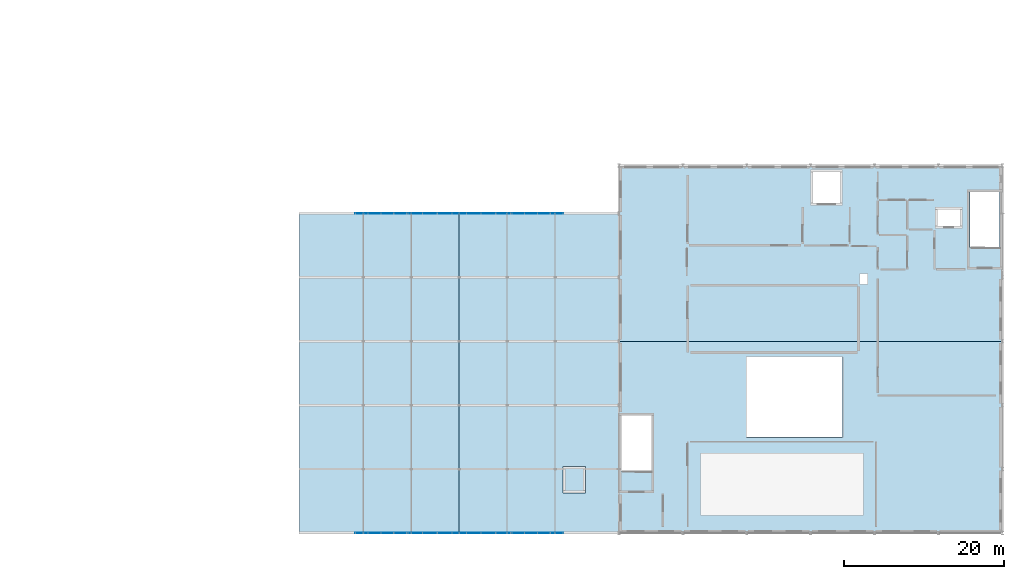
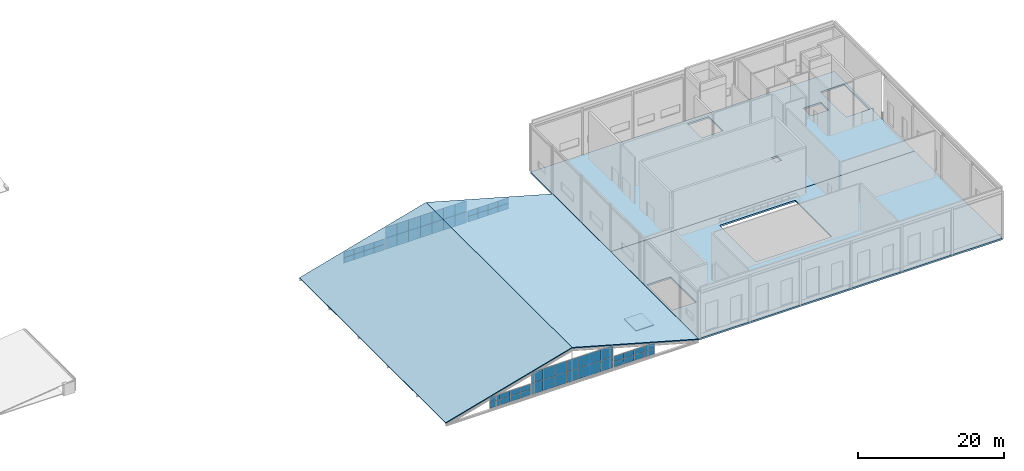
# One storey, part 37 of 49: 60 plates, 5 slabs, 7 elements without a shape of their own.
"""IFC4 building model written with IfcOpenShell, lengths in metres."""

import ifcopenshell
import ifcopenshell.guid

model = None  # the IFC model being written
_history = None  # IfcOwnerHistory: only IFC2X3 demands one
_inside = {}  # id of a spatial element -> (the spatial element, [elements in it])
_under = {}  # id of a project, library or spatial element -> (it, [spatial elements below it])
_declared = {}  # id of a project -> (the project, [libraries it declares])
_typed = {}  # id of a type object -> (the type object, [elements of that type])
_made_of = {}  # id of a material, layer set ... -> (it, [elements and type objects made of it])


def new_model(schema):
    """Start an empty IFC model of exactly this schema.

    Asked for "IFC4X3", IfcOpenShell would pick the latest addendum, in which some entities
    have other attributes; the version numbers below select the first issue.
    IFC2X3 requires an IfcOwnerHistory on every rooted entity: one is made here for all.
    """
    global model, _history
    if schema == "IFC4X3":
        model = ifcopenshell.file(schema_version=(4, 3, 0, 0))
    else:
        model = ifcopenshell.file(schema=schema)
    _inside.clear()
    _under.clear()
    _declared.clear()
    _typed.clear()
    _made_of.clear()
    _history = None
    if model.schema == "IFC2X3":
        org = make("IfcOrganization", Name="unknown")
        user = make(
            "IfcPersonAndOrganization",
            ThePerson=make("IfcPerson", FamilyName="unknown"),
            TheOrganization=org,
        )
        app = make(
            "IfcApplication",
            ApplicationDeveloper=org,
            Version="unknown",
            ApplicationFullName="unknown",
            ApplicationIdentifier="unknown",
        )
        _history = make(
            "IfcOwnerHistory",
            OwningUser=user,
            OwningApplication=app,
            ChangeAction="ADDED",
            CreationDate=0,
        )
    return model


def make(cls, **values):
    """One entity of the class cls with the attributes given. An attribute that is None is left unset."""
    return model.create_entity(
        cls, **{name: value for name, value in values.items() if value is not None}
    )


def rooted(cls, **values):
    """An entity with a GlobalId (a new one), such as an element, a storey or a relation."""
    return make(cls, GlobalId=ifcopenshell.guid.new(), OwnerHistory=_history, **values)


def si_unit(unit_type, name, prefix=None):
    """IfcSIUnit, for example si_unit("LENGTHUNIT", "METRE", prefix="MILLI")."""
    return make("IfcSIUnit", UnitType=unit_type, Prefix=prefix, Name=name)


def assignment(units):
    """IfcUnitAssignment: the units of a project."""
    return None if units is None else make("IfcUnitAssignment", Units=units)


def point(xyz):
    """IfcCartesianPoint."""
    return None if xyz is None else make("IfcCartesianPoint", Coordinates=xyz)


def direction(xyz):
    """IfcDirection."""
    return None if xyz is None else make("IfcDirection", DirectionRatios=xyz)


def frame(location, z_axis=None, x_axis=None):
    """IfcAxis2Placement3D, a coordinate frame: its origin and axes. An axis left out is left unset."""
    return make(
        "IfcAxis2Placement3D",
        Location=point(location),
        Axis=direction(z_axis),
        RefDirection=direction(x_axis),
    )


def frame_2d(location, x_axis=None):
    """IfcAxis2Placement2D, a coordinate frame in the plane: its origin and x axis."""
    return make(
        "IfcAxis2Placement2D", Location=point(location), RefDirection=direction(x_axis)
    )


def origin():
    """The frame at (0, 0, 0) with its axes left unset."""
    return frame((0.0, 0.0, 0.0))


def origin_2d():
    """The frame at (0, 0) in the plane with its x axis left unset."""
    return frame_2d((0.0, 0.0))


def place(relative_to, where):
    """IfcLocalPlacement: puts the frame where relative to a parent placement (None: the world)."""
    return make(
        "IfcLocalPlacement", PlacementRelTo=relative_to, RelativePlacement=where
    )


def context(
    kind, dimensions, precision=None, world=None, true_north=None, identifier=None
):
    """IfcGeometricRepresentationContext, for example the 3D "Model" context."""
    return make(
        "IfcGeometricRepresentationContext",
        ContextIdentifier=identifier,
        ContextType=kind,
        CoordinateSpaceDimension=dimensions,
        Precision=precision,
        WorldCoordinateSystem=world,
        TrueNorth=true_north,
    )


def subcontext(parent, identifier, kind, view, scale=None):
    """IfcGeometricRepresentationSubContext, for example "Body" below "Model"."""
    return make(
        "IfcGeometricRepresentationSubContext",
        ContextIdentifier=identifier,
        ContextType=kind,
        ParentContext=parent,
        TargetScale=scale,
        TargetView=view,
    )


def project(units=None, contexts=None):
    """IfcProject with its units and contexts."""
    return rooted(
        "IfcProject",
        Name="project",
        RepresentationContexts=contexts,
        UnitsInContext=assignment(units),
    )


def spatial(cls, under=None, at=None, **own):
    """A site, building, storey or space (cls), placed at a placement, below another one or the project."""
    s = rooted(cls, ObjectPlacement=at, **own)
    if under is not None:
        _under.setdefault(under.id(), (under, []))[1].append(s)
    return s


def polyline(points):
    """IfcPolyline through the points."""
    return make("IfcPolyline", Points=[point(p) for p in points])


def profile(cls, at=None, kind="AREA", **sizes):
    """A parametric profile (cls). Its sizes go by their IFC names, for example OverallWidth=200.0."""
    return make(cls, ProfileType=kind, Position=at, **sizes)


def rectangle(**sizes):
    """IfcRectangleProfileDef."""
    return profile("IfcRectangleProfileDef", **sizes)


def outline(outer, holes=None, kind="AREA"):
    """IfcArbitraryClosedProfileDef: a profile drawn as a closed curve; with holes, ...WithVoids."""
    if holes is None:
        return make("IfcArbitraryClosedProfileDef", ProfileType=kind, OuterCurve=outer)
    return make(
        "IfcArbitraryProfileDefWithVoids",
        ProfileType=kind,
        OuterCurve=outer,
        InnerCurves=holes,
    )


def extrude(swept, where, along, depth):
    """IfcExtrudedAreaSolid: the profile swept, set in the frame where, extruded along a direction by depth."""
    return make(
        "IfcExtrudedAreaSolid",
        SweptArea=swept,
        Position=where,
        ExtrudedDirection=direction(along),
        Depth=depth,
    )


def shape(context_of_items, identifier, shape_type, items):
    """IfcShapeRepresentation: the items that make up one representation, for example the "Body"."""
    return make(
        "IfcShapeRepresentation",
        ContextOfItems=context_of_items,
        RepresentationIdentifier=identifier,
        RepresentationType=shape_type,
        Items=items,
    )


def material(Name=None, Category=None):
    """IfcMaterial."""
    return make("IfcMaterial", Name=Name, Category=Category)


def layer(
    of_material, thickness, ventilated=None, Name=None, Category=None, Priority=None
):
    """IfcMaterialLayer: one layer of a wall or slab, of a material (None: an air gap)."""
    return make(
        "IfcMaterialLayer",
        Material=of_material,
        LayerThickness=thickness,
        IsVentilated=ventilated,
        Name=Name,
        Category=Category,
        Priority=Priority,
    )


def layer_set(layers, Name=None):
    """IfcMaterialLayerSet."""
    return make("IfcMaterialLayerSet", MaterialLayers=layers, LayerSetName=Name)


def made_of(thing, what):
    """Note that an element or type object is made of a material, layer set ...; save() writes the relation."""
    if what is not None:
        _made_of.setdefault(what.id(), (what, []))[1].append(thing)
    return thing


def type_object(cls, material=None, **own):
    """A type object (cls), such as IfcWallType, which elements share."""
    return made_of(rooted(cls, **own), material)


def element(
    cls,
    number,
    at=None,
    inside=None,
    cuts=None,
    type_object=None,
    material=None,
    context=None,
    identifier="Body",
    shape_type=None,
    held_by="IfcProductDefinitionShape",
    body=None,
    shapes=None,
    **own,
):
    """One element of the class cls, such as IfcWall. Its Tag is "e" and its number.

    at: its placement. inside: the storey or other place that contains it. cuts: it is an
    opening in that element (IfcRelVoidsElement). A single representation is given by context,
    identifier, shape_type and body (its items); several are given by shapes. held_by: the class
    of the entity that holds the representations. save() writes the other relations.
    """
    e = rooted(cls, Tag="e%d" % number, ObjectPlacement=at, **own)
    if body is not None:
        shapes = [shape(context, identifier, shape_type, body)]
    if shapes is not None:
        e.Representation = make(held_by, Representations=shapes)
    if inside is not None:
        _inside.setdefault(inside.id(), (inside, []))[1].append(e)
    if cuts is not None:
        rooted(
            "IfcRelVoidsElement", RelatingBuildingElement=cuts, RelatedOpeningElement=e
        )
    if type_object is not None:
        _typed.setdefault(type_object.id(), (type_object, []))[1].append(e)
    return made_of(e, material)


def aggregate(whole, parts):
    """IfcRelAggregates: a whole, such as a stair, and the parts it consists of."""
    return rooted("IfcRelAggregates", RelatingObject=whole, RelatedObjects=parts)


def save(model, path):
    """Write the relations noted so far, then the file.

    IfcRelAggregates (storeys below a building ...), IfcRelContainedInSpatialStructure (elements
    in a storey), IfcRelDefinesByType, IfcRelAssociatesMaterial and IfcRelDeclares: one each for
    every whole, place, type object, material and project.
    """
    for whole, parts in _under.values():
        aggregate(whole, parts)
    for where, things in _inside.values():
        rooted(
            "IfcRelContainedInSpatialStructure",
            RelatedElements=things,
            RelatingStructure=where,
        )
    for kind, things in _typed.values():
        rooted("IfcRelDefinesByType", RelatedObjects=things, RelatingType=kind)
    for what, things in _made_of.values():
        rooted("IfcRelAssociatesMaterial", RelatedObjects=things, RelatingMaterial=what)
    for by, libraries in _declared.values():
        rooted("IfcRelDeclares", RelatingContext=by, RelatedDefinitions=libraries)
    model.write(path)


model = new_model("IFC4")

# Units and contexts
model_context = context("Model", 3, precision=1e-05, world=origin(), true_north=direction((0.0, 1.0)))
body_context = subcontext(model_context, "Body", "Model", "MODEL_VIEW")
ifc_project = project(units=[si_unit("LENGTHUNIT", "METRE"), si_unit("AREAUNIT", "SQUARE_METRE"), si_unit("VOLUMEUNIT", "CUBIC_METRE"), si_unit("PLANEANGLEUNIT", "RADIAN"), si_unit("MASSUNIT", "GRAM", prefix="KILO")], contexts=[model_context])

# Site, building, storey
site_placement = place(None, origin())
site = spatial("IfcSite", under=ifc_project, at=site_placement, CompositionType="ELEMENT")
building_placement = place(site_placement, origin())
building = spatial("IfcBuilding", under=site, at=building_placement, Name="Sundkrona Museum", CompositionType="ELEMENT")
storey_placement = place(building_placement, frame((0.0, 0.0, 26.0)))
storey = spatial("IfcBuildingStorey", under=building, at=storey_placement, Name="L05", CompositionType="ELEMENT", Elevation=26.0)

# Curtain wall, plates
ifc_material_1 = material(Name="Unitised Aluminium-Steel and Ceramic-Clad Curtain Walling", Category="steel")
curtain_wall_type = type_object("IfcCurtainWallType", Name="CW-SW-240x13", PredefinedType="NOTDEFINED", material=ifc_material_1)
curtain_wall_1_placement = place(storey_placement, origin())
curtain_wall_1 = element("IfcCurtainWall", 1, at=curtain_wall_1_placement, inside=storey, type_object=curtain_wall_type, Name="Atrium S Glazed Gable Tympanum 2", PredefinedType="NOTDEFINED")
ifc_material_2 = material(Name="North-Light Diffusing Triple Glazing 32 mm", Category="glass")
ifc_layer_1 = layer(ifc_material_2, 0.031982421875)
ifc_layer_set_1 = layer_set([ifc_layer_1], Name="North-Light Diffusing Triple Glazing 32 mm")
plate_type = type_object("IfcPlateType", Name="PN-GL-02", PredefinedType="CURTAIN_PANEL", material=ifc_layer_set_1)
plate_1_placement = place(storey_placement, frame((87.800048828125, 0.0, -0.10009765625), z_axis=(0.0, 0.0, 1.0), x_axis=(1.0, 0.0, 0.0)))
plate_1 = element("IfcPlate", 2, at=plate_1_placement, type_object=plate_type, Name="CW-ATR-GBL-S2 Panel 01", PredefinedType="CURTAIN_PANEL", context=body_context, shape_type="SweptSolid", body=[
    extrude(rectangle(XDim=1.60009765625, YDim=0.031982421875, at=origin_2d()), origin(), (0.0, 0.0, 1.0), 0.931884765625),
])
plate_2_placement = place(storey_placement, frame((87.800048828125, 0.0, 0.83203125), z_axis=(0.0, 0.0, 1.0), x_axis=(1.0, 0.0, 0.0)))
plate_2 = element("IfcPlate", 3, at=plate_2_placement, type_object=plate_type, Name="CW-ATR-GBL-S2 Panel 02", PredefinedType="CURTAIN_PANEL", context=body_context, shape_type="SweptSolid", body=[
    extrude(rectangle(XDim=1.60009765625, YDim=0.031982421875, at=origin_2d()), origin(), (0.0, 0.0, 1.0), 0.931884765625),
])
plate_3_placement = place(storey_placement, frame((89.39990234375, 0.0, -0.10009765625), z_axis=(0.0, 0.0, 1.0), x_axis=(1.0, 0.0, 0.0)))
plate_3 = element("IfcPlate", 4, at=plate_3_placement, type_object=plate_type, Name="CW-ATR-GBL-S2 Panel 03", PredefinedType="CURTAIN_PANEL", context=body_context, shape_type="SweptSolid", body=[
    extrude(rectangle(XDim=1.60009765625, YDim=0.031982421875, at=origin_2d()), origin(), (0.0, 0.0, 1.0), 0.931884765625),
])
plate_4_placement = place(storey_placement, frame((89.39990234375, 0.0, 0.83203125), z_axis=(0.0, 0.0, 1.0), x_axis=(1.0, 0.0, 0.0)))
plate_4 = element("IfcPlate", 5, at=plate_4_placement, type_object=plate_type, Name="CW-ATR-GBL-S2 Panel 04", PredefinedType="CURTAIN_PANEL", context=body_context, shape_type="SweptSolid", body=[
    extrude(rectangle(XDim=1.60009765625, YDim=0.031982421875, at=origin_2d()), origin(), (0.0, 0.0, 1.0), 0.931884765625),
])
plate_5_placement = place(storey_placement, frame((91.0, 0.0, -0.10009765625), z_axis=(0.0, 0.0, 1.0), x_axis=(1.0, 0.0, 0.0)))
plate_5 = element("IfcPlate", 6, at=plate_5_placement, type_object=plate_type, Name="CW-ATR-GBL-S2 Panel 05", PredefinedType="CURTAIN_PANEL", context=body_context, shape_type="SweptSolid", body=[
    extrude(rectangle(XDim=1.60009765625, YDim=0.031982421875, at=origin_2d()), origin(), (0.0, 0.0, 1.0), 0.931884765625),
])
plate_6_placement = place(storey_placement, frame((91.0, 0.0, 0.83203125), z_axis=(0.0, 0.0, 1.0), x_axis=(1.0, 0.0, 0.0)))
plate_6 = element("IfcPlate", 7, at=plate_6_placement, type_object=plate_type, Name="CW-ATR-GBL-S2 Panel 06", PredefinedType="CURTAIN_PANEL", context=body_context, shape_type="SweptSolid", body=[
    extrude(rectangle(XDim=1.60009765625, YDim=0.031982421875, at=origin_2d()), origin(), (0.0, 0.0, 1.0), 0.931884765625),
])
plate_7_placement = place(storey_placement, frame((92.60009765625, 0.0, -0.10009765625), z_axis=(0.0, 0.0, 1.0), x_axis=(1.0, 0.0, 0.0)))
plate_7 = element("IfcPlate", 8, at=plate_7_placement, type_object=plate_type, Name="CW-ATR-GBL-S2 Panel 07", PredefinedType="CURTAIN_PANEL", context=body_context, shape_type="SweptSolid", body=[
    extrude(rectangle(XDim=1.60009765625, YDim=0.031982421875, at=origin_2d()), origin(), (0.0, 0.0, 1.0), 0.931884765625),
])
plate_8_placement = place(storey_placement, frame((92.60009765625, 0.0, 0.83203125), z_axis=(0.0, 0.0, 1.0), x_axis=(1.0, 0.0, 0.0)))
plate_8 = element("IfcPlate", 9, at=plate_8_placement, type_object=plate_type, Name="CW-ATR-GBL-S2 Panel 08", PredefinedType="CURTAIN_PANEL", context=body_context, shape_type="SweptSolid", body=[
    extrude(rectangle(XDim=1.60009765625, YDim=0.031982421875, at=origin_2d()), origin(), (0.0, 0.0, 1.0), 0.931884765625),
])
aggregate(curtain_wall_1, [plate_1, plate_2, plate_3, plate_4, plate_5, plate_6, plate_7, plate_8])

curtain_wall_2_placement = place(storey_placement, origin())
curtain_wall_2 = element("IfcCurtainWall", 10, at=curtain_wall_2_placement, inside=storey, type_object=curtain_wall_type, Name="Atrium S Glazed Gable Tympanum 3", PredefinedType="NOTDEFINED")
plate_9_placement = place(storey_placement, frame((94.514404296875, 0.0, -0.10009765625), z_axis=(0.0, 0.0, 1.0), x_axis=(1.0, 0.0, 0.0)))
plate_9 = element("IfcPlate", 11, at=plate_9_placement, type_object=plate_type, Name="CW-ATR-GBL-S3 Panel 01", PredefinedType="CURTAIN_PANEL", context=body_context, shape_type="SweptSolid", body=[
    extrude(rectangle(XDim=1.82861328125, YDim=0.031982421875, at=origin_2d()), origin(), (0.0, 0.0, 1.0), 1.85302734375),
])
plate_10_placement = place(storey_placement, frame((94.514404296875, 0.0, 1.7529296875), z_axis=(0.0, 0.0, 1.0), x_axis=(1.0, 0.0, 0.0)))
plate_10 = element("IfcPlate", 12, at=plate_10_placement, type_object=plate_type, Name="CW-ATR-GBL-S3 Panel 02", PredefinedType="CURTAIN_PANEL", context=body_context, shape_type="SweptSolid", body=[
    extrude(rectangle(XDim=1.82861328125, YDim=0.031982421875, at=origin_2d()), origin(), (0.0, 0.0, 1.0), 1.85400390625),
])
plate_11_placement = place(storey_placement, frame((96.343017578125, 0.0, -0.10009765625), z_axis=(0.0, 0.0, 1.0), x_axis=(1.0, 0.0, 0.0)))
plate_11 = element("IfcPlate", 13, at=plate_11_placement, type_object=plate_type, Name="CW-ATR-GBL-S3 Panel 03", PredefinedType="CURTAIN_PANEL", context=body_context, shape_type="SweptSolid", body=[
    extrude(rectangle(XDim=1.82861328125, YDim=0.031982421875, at=origin_2d()), origin(), (0.0, 0.0, 1.0), 1.85302734375),
])
plate_12_placement = place(storey_placement, frame((96.343017578125, 0.0, 1.7529296875), z_axis=(0.0, 0.0, 1.0), x_axis=(1.0, 0.0, 0.0)))
plate_12 = element("IfcPlate", 14, at=plate_12_placement, type_object=plate_type, Name="CW-ATR-GBL-S3 Panel 04", PredefinedType="CURTAIN_PANEL", context=body_context, shape_type="SweptSolid", body=[
    extrude(rectangle(XDim=1.82861328125, YDim=0.031982421875, at=origin_2d()), origin(), (0.0, 0.0, 1.0), 1.85400390625),
])
plate_13_placement = place(storey_placement, frame((98.17138671875, 0.0, -0.10009765625), z_axis=(0.0, 0.0, 1.0), x_axis=(1.0, 0.0, 0.0)))
plate_13 = element("IfcPlate", 15, at=plate_13_placement, type_object=plate_type, Name="CW-ATR-GBL-S3 Panel 05", PredefinedType="CURTAIN_PANEL", context=body_context, shape_type="SweptSolid", body=[
    extrude(rectangle(XDim=1.82861328125, YDim=0.031982421875, at=origin_2d()), origin(), (0.0, 0.0, 1.0), 1.85302734375),
])
plate_14_placement = place(storey_placement, frame((98.17138671875, 0.0, 1.7529296875), z_axis=(0.0, 0.0, 1.0), x_axis=(1.0, 0.0, 0.0)))
plate_14 = element("IfcPlate", 16, at=plate_14_placement, type_object=plate_type, Name="CW-ATR-GBL-S3 Panel 06", PredefinedType="CURTAIN_PANEL", context=body_context, shape_type="SweptSolid", body=[
    extrude(rectangle(XDim=1.82861328125, YDim=0.031982421875, at=origin_2d()), origin(), (0.0, 0.0, 1.0), 1.85400390625),
])
plate_15_placement = place(storey_placement, frame((100.0, 0.0, -0.10009765625), z_axis=(0.0, 0.0, 1.0), x_axis=(1.0, 0.0, 0.0)))
plate_15 = element("IfcPlate", 17, at=plate_15_placement, type_object=plate_type, Name="CW-ATR-GBL-S3 Panel 07", PredefinedType="CURTAIN_PANEL", context=body_context, shape_type="SweptSolid", body=[
    extrude(rectangle(XDim=1.82861328125, YDim=0.031982421875, at=origin_2d()), origin(), (0.0, 0.0, 1.0), 1.85302734375),
])
plate_16_placement = place(storey_placement, frame((100.0, 0.0, 1.7529296875), z_axis=(0.0, 0.0, 1.0), x_axis=(1.0, 0.0, 0.0)))
plate_16 = element("IfcPlate", 18, at=plate_16_placement, type_object=plate_type, Name="CW-ATR-GBL-S3 Panel 08", PredefinedType="CURTAIN_PANEL", context=body_context, shape_type="SweptSolid", body=[
    extrude(rectangle(XDim=1.82861328125, YDim=0.031982421875, at=origin_2d()), origin(), (0.0, 0.0, 1.0), 1.85400390625),
])
plate_17_placement = place(storey_placement, frame((101.82861328125, 0.0, -0.10009765625), z_axis=(0.0, 0.0, 1.0), x_axis=(1.0, 0.0, 0.0)))
plate_17 = element("IfcPlate", 19, at=plate_17_placement, type_object=plate_type, Name="CW-ATR-GBL-S3 Panel 09", PredefinedType="CURTAIN_PANEL", context=body_context, shape_type="SweptSolid", body=[
    extrude(rectangle(XDim=1.82861328125, YDim=0.031982421875, at=origin_2d()), origin(), (0.0, 0.0, 1.0), 1.85302734375),
])
plate_18_placement = place(storey_placement, frame((101.82861328125, 0.0, 1.7529296875), z_axis=(0.0, 0.0, 1.0), x_axis=(1.0, 0.0, 0.0)))
plate_18 = element("IfcPlate", 20, at=plate_18_placement, type_object=plate_type, Name="CW-ATR-GBL-S3 Panel 10", PredefinedType="CURTAIN_PANEL", context=body_context, shape_type="SweptSolid", body=[
    extrude(rectangle(XDim=1.82861328125, YDim=0.031982421875, at=origin_2d()), origin(), (0.0, 0.0, 1.0), 1.85400390625),
])
plate_19_placement = place(storey_placement, frame((103.656982421875, 0.0, -0.10009765625), z_axis=(0.0, 0.0, 1.0), x_axis=(1.0, 0.0, 0.0)))
plate_19 = element("IfcPlate", 21, at=plate_19_placement, type_object=plate_type, Name="CW-ATR-GBL-S3 Panel 11", PredefinedType="CURTAIN_PANEL", context=body_context, shape_type="SweptSolid", body=[
    extrude(rectangle(XDim=1.82861328125, YDim=0.031982421875, at=origin_2d()), origin(), (0.0, 0.0, 1.0), 1.85302734375),
])
plate_20_placement = place(storey_placement, frame((103.656982421875, 0.0, 1.7529296875), z_axis=(0.0, 0.0, 1.0), x_axis=(1.0, 0.0, 0.0)))
plate_20 = element("IfcPlate", 22, at=plate_20_placement, type_object=plate_type, Name="CW-ATR-GBL-S3 Panel 12", PredefinedType="CURTAIN_PANEL", context=body_context, shape_type="SweptSolid", body=[
    extrude(rectangle(XDim=1.82861328125, YDim=0.031982421875, at=origin_2d()), origin(), (0.0, 0.0, 1.0), 1.85400390625),
])
plate_21_placement = place(storey_placement, frame((105.485595703125, 0.0, -0.10009765625), z_axis=(0.0, 0.0, 1.0), x_axis=(1.0, 0.0, 0.0)))
plate_21 = element("IfcPlate", 23, at=plate_21_placement, type_object=plate_type, Name="CW-ATR-GBL-S3 Panel 13", PredefinedType="CURTAIN_PANEL", context=body_context, shape_type="SweptSolid", body=[
    extrude(rectangle(XDim=1.82861328125, YDim=0.031982421875, at=origin_2d()), origin(), (0.0, 0.0, 1.0), 1.85302734375),
])
plate_22_placement = place(storey_placement, frame((105.485595703125, 0.0, 1.7529296875), z_axis=(0.0, 0.0, 1.0), x_axis=(1.0, 0.0, 0.0)))
plate_22 = element("IfcPlate", 24, at=plate_22_placement, type_object=plate_type, Name="CW-ATR-GBL-S3 Panel 14", PredefinedType="CURTAIN_PANEL", context=body_context, shape_type="SweptSolid", body=[
    extrude(rectangle(XDim=1.82861328125, YDim=0.031982421875, at=origin_2d()), origin(), (0.0, 0.0, 1.0), 1.85400390625),
])
aggregate(curtain_wall_2, [plate_9, plate_10, plate_11, plate_12, plate_13, plate_14, plate_15, plate_16, plate_17, plate_18, plate_19, plate_20, plate_21, plate_22])

curtain_wall_3_placement = place(storey_placement, origin())
curtain_wall_3 = element("IfcCurtainWall", 25, at=curtain_wall_3_placement, inside=storey, type_object=curtain_wall_type, Name="Atrium S Glazed Gable Tympanum 4", PredefinedType="NOTDEFINED")
plate_23_placement = place(storey_placement, frame((107.39990234375, 0.0, -0.10009765625), z_axis=(0.0, 0.0, 1.0), x_axis=(1.0, 0.0, 0.0)))
plate_23 = element("IfcPlate", 26, at=plate_23_placement, type_object=plate_type, Name="CW-ATR-GBL-S4 Panel 01", PredefinedType="CURTAIN_PANEL", context=body_context, shape_type="SweptSolid", body=[
    extrude(rectangle(XDim=1.60009765625, YDim=0.031982421875, at=origin_2d()), origin(), (0.0, 0.0, 1.0), 0.931884765625),
])
plate_24_placement = place(storey_placement, frame((107.39990234375, 0.0, 0.83203125), z_axis=(0.0, 0.0, 1.0), x_axis=(1.0, 0.0, 0.0)))
plate_24 = element("IfcPlate", 27, at=plate_24_placement, type_object=plate_type, Name="CW-ATR-GBL-S4 Panel 02", PredefinedType="CURTAIN_PANEL", context=body_context, shape_type="SweptSolid", body=[
    extrude(rectangle(XDim=1.60009765625, YDim=0.031982421875, at=origin_2d()), origin(), (0.0, 0.0, 1.0), 0.931884765625),
])
plate_25_placement = place(storey_placement, frame((109.0, 0.0, -0.10009765625), z_axis=(0.0, 0.0, 1.0), x_axis=(1.0, 0.0, 0.0)))
plate_25 = element("IfcPlate", 28, at=plate_25_placement, type_object=plate_type, Name="CW-ATR-GBL-S4 Panel 03", PredefinedType="CURTAIN_PANEL", context=body_context, shape_type="SweptSolid", body=[
    extrude(rectangle(XDim=1.60009765625, YDim=0.031982421875, at=origin_2d()), origin(), (0.0, 0.0, 1.0), 0.931884765625),
])
plate_26_placement = place(storey_placement, frame((109.0, 0.0, 0.83203125), z_axis=(0.0, 0.0, 1.0), x_axis=(1.0, 0.0, 0.0)))
plate_26 = element("IfcPlate", 29, at=plate_26_placement, type_object=plate_type, Name="CW-ATR-GBL-S4 Panel 04", PredefinedType="CURTAIN_PANEL", context=body_context, shape_type="SweptSolid", body=[
    extrude(rectangle(XDim=1.60009765625, YDim=0.031982421875, at=origin_2d()), origin(), (0.0, 0.0, 1.0), 0.931884765625),
])
plate_27_placement = place(storey_placement, frame((110.60009765625, 0.0, -0.10009765625), z_axis=(0.0, 0.0, 1.0), x_axis=(1.0, 0.0, 0.0)))
plate_27 = element("IfcPlate", 30, at=plate_27_placement, type_object=plate_type, Name="CW-ATR-GBL-S4 Panel 05", PredefinedType="CURTAIN_PANEL", context=body_context, shape_type="SweptSolid", body=[
    extrude(rectangle(XDim=1.60009765625, YDim=0.031982421875, at=origin_2d()), origin(), (0.0, 0.0, 1.0), 0.931884765625),
])
plate_28_placement = place(storey_placement, frame((110.60009765625, 0.0, 0.83203125), z_axis=(0.0, 0.0, 1.0), x_axis=(1.0, 0.0, 0.0)))
plate_28 = element("IfcPlate", 31, at=plate_28_placement, type_object=plate_type, Name="CW-ATR-GBL-S4 Panel 06", PredefinedType="CURTAIN_PANEL", context=body_context, shape_type="SweptSolid", body=[
    extrude(rectangle(XDim=1.60009765625, YDim=0.031982421875, at=origin_2d()), origin(), (0.0, 0.0, 1.0), 0.931884765625),
])
plate_29_placement = place(storey_placement, frame((112.199951171875, 0.0, -0.10009765625), z_axis=(0.0, 0.0, 1.0), x_axis=(1.0, 0.0, 0.0)))
plate_29 = element("IfcPlate", 32, at=plate_29_placement, type_object=plate_type, Name="CW-ATR-GBL-S4 Panel 07", PredefinedType="CURTAIN_PANEL", context=body_context, shape_type="SweptSolid", body=[
    extrude(rectangle(XDim=1.60009765625, YDim=0.031982421875, at=origin_2d()), origin(), (0.0, 0.0, 1.0), 0.931884765625),
])
plate_30_placement = place(storey_placement, frame((112.199951171875, 0.0, 0.83203125), z_axis=(0.0, 0.0, 1.0), x_axis=(1.0, 0.0, 0.0)))
plate_30 = element("IfcPlate", 33, at=plate_30_placement, type_object=plate_type, Name="CW-ATR-GBL-S4 Panel 08", PredefinedType="CURTAIN_PANEL", context=body_context, shape_type="SweptSolid", body=[
    extrude(rectangle(XDim=1.60009765625, YDim=0.031982421875, at=origin_2d()), origin(), (0.0, 0.0, 1.0), 0.931884765625),
])
aggregate(curtain_wall_3, [plate_23, plate_24, plate_25, plate_26, plate_27, plate_28, plate_29, plate_30])

curtain_wall_4_placement = place(storey_placement, origin())
curtain_wall_4 = element("IfcCurtainWall", 34, at=curtain_wall_4_placement, inside=storey, type_object=curtain_wall_type, Name="Atrium N Glazed Gable Tympanum 2", PredefinedType="NOTDEFINED")
plate_31_placement = place(storey_placement, frame((87.800048828125, 40.0, -0.10009765625), z_axis=(0.0, 0.0, 1.0), x_axis=(1.0, 0.0, 0.0)))
plate_31 = element("IfcPlate", 35, at=plate_31_placement, type_object=plate_type, Name="CW-ATR-GBL-N2 Panel 01", PredefinedType="CURTAIN_PANEL", context=body_context, shape_type="SweptSolid", body=[
    extrude(rectangle(XDim=1.60009765625, YDim=0.031982421875, at=origin_2d()), origin(), (0.0, 0.0, 1.0), 0.931884765625),
])
plate_32_placement = place(storey_placement, frame((87.800048828125, 40.0, 0.83203125), z_axis=(0.0, 0.0, 1.0), x_axis=(1.0, 0.0, 0.0)))
plate_32 = element("IfcPlate", 36, at=plate_32_placement, type_object=plate_type, Name="CW-ATR-GBL-N2 Panel 02", PredefinedType="CURTAIN_PANEL", context=body_context, shape_type="SweptSolid", body=[
    extrude(rectangle(XDim=1.60009765625, YDim=0.031982421875, at=origin_2d()), origin(), (0.0, 0.0, 1.0), 0.931884765625),
])
plate_33_placement = place(storey_placement, frame((89.39990234375, 40.0, -0.10009765625), z_axis=(0.0, 0.0, 1.0), x_axis=(1.0, 0.0, 0.0)))
plate_33 = element("IfcPlate", 37, at=plate_33_placement, type_object=plate_type, Name="CW-ATR-GBL-N2 Panel 03", PredefinedType="CURTAIN_PANEL", context=body_context, shape_type="SweptSolid", body=[
    extrude(rectangle(XDim=1.60009765625, YDim=0.031982421875, at=origin_2d()), origin(), (0.0, 0.0, 1.0), 0.931884765625),
])
plate_34_placement = place(storey_placement, frame((89.39990234375, 40.0, 0.83203125), z_axis=(0.0, 0.0, 1.0), x_axis=(1.0, 0.0, 0.0)))
plate_34 = element("IfcPlate", 38, at=plate_34_placement, type_object=plate_type, Name="CW-ATR-GBL-N2 Panel 04", PredefinedType="CURTAIN_PANEL", context=body_context, shape_type="SweptSolid", body=[
    extrude(rectangle(XDim=1.60009765625, YDim=0.031982421875, at=origin_2d()), origin(), (0.0, 0.0, 1.0), 0.931884765625),
])
plate_35_placement = place(storey_placement, frame((91.0, 40.0, -0.10009765625), z_axis=(0.0, 0.0, 1.0), x_axis=(1.0, 0.0, 0.0)))
plate_35 = element("IfcPlate", 39, at=plate_35_placement, type_object=plate_type, Name="CW-ATR-GBL-N2 Panel 05", PredefinedType="CURTAIN_PANEL", context=body_context, shape_type="SweptSolid", body=[
    extrude(rectangle(XDim=1.60009765625, YDim=0.031982421875, at=origin_2d()), origin(), (0.0, 0.0, 1.0), 0.931884765625),
])
plate_36_placement = place(storey_placement, frame((91.0, 40.0, 0.83203125), z_axis=(0.0, 0.0, 1.0), x_axis=(1.0, 0.0, 0.0)))
plate_36 = element("IfcPlate", 40, at=plate_36_placement, type_object=plate_type, Name="CW-ATR-GBL-N2 Panel 06", PredefinedType="CURTAIN_PANEL", context=body_context, shape_type="SweptSolid", body=[
    extrude(rectangle(XDim=1.60009765625, YDim=0.031982421875, at=origin_2d()), origin(), (0.0, 0.0, 1.0), 0.931884765625),
])
plate_37_placement = place(storey_placement, frame((92.60009765625, 40.0, -0.10009765625), z_axis=(0.0, 0.0, 1.0), x_axis=(1.0, 0.0, 0.0)))
plate_37 = element("IfcPlate", 41, at=plate_37_placement, type_object=plate_type, Name="CW-ATR-GBL-N2 Panel 07", PredefinedType="CURTAIN_PANEL", context=body_context, shape_type="SweptSolid", body=[
    extrude(rectangle(XDim=1.60009765625, YDim=0.031982421875, at=origin_2d()), origin(), (0.0, 0.0, 1.0), 0.931884765625),
])
plate_38_placement = place(storey_placement, frame((92.60009765625, 40.0, 0.83203125), z_axis=(0.0, 0.0, 1.0), x_axis=(1.0, 0.0, 0.0)))
plate_38 = element("IfcPlate", 42, at=plate_38_placement, type_object=plate_type, Name="CW-ATR-GBL-N2 Panel 08", PredefinedType="CURTAIN_PANEL", context=body_context, shape_type="SweptSolid", body=[
    extrude(rectangle(XDim=1.60009765625, YDim=0.031982421875, at=origin_2d()), origin(), (0.0, 0.0, 1.0), 0.931884765625),
])
aggregate(curtain_wall_4, [plate_31, plate_32, plate_33, plate_34, plate_35, plate_36, plate_37, plate_38])

curtain_wall_5_placement = place(storey_placement, origin())
curtain_wall_5 = element("IfcCurtainWall", 43, at=curtain_wall_5_placement, inside=storey, type_object=curtain_wall_type, Name="Atrium N Glazed Gable Tympanum 3", PredefinedType="NOTDEFINED")
plate_39_placement = place(storey_placement, frame((94.514404296875, 40.0, -0.10009765625), z_axis=(0.0, 0.0, 1.0), x_axis=(1.0, 0.0, 0.0)))
plate_39 = element("IfcPlate", 44, at=plate_39_placement, type_object=plate_type, Name="CW-ATR-GBL-N3 Panel 01", PredefinedType="CURTAIN_PANEL", context=body_context, shape_type="SweptSolid", body=[
    extrude(rectangle(XDim=1.82861328125, YDim=0.031982421875, at=origin_2d()), origin(), (0.0, 0.0, 1.0), 1.85302734375),
])
plate_40_placement = place(storey_placement, frame((94.514404296875, 40.0, 1.7529296875), z_axis=(0.0, 0.0, 1.0), x_axis=(1.0, 0.0, 0.0)))
plate_40 = element("IfcPlate", 45, at=plate_40_placement, type_object=plate_type, Name="CW-ATR-GBL-N3 Panel 02", PredefinedType="CURTAIN_PANEL", context=body_context, shape_type="SweptSolid", body=[
    extrude(rectangle(XDim=1.82861328125, YDim=0.031982421875, at=origin_2d()), origin(), (0.0, 0.0, 1.0), 1.85400390625),
])
plate_41_placement = place(storey_placement, frame((96.343017578125, 40.0, -0.10009765625), z_axis=(0.0, 0.0, 1.0), x_axis=(1.0, 0.0, 0.0)))
plate_41 = element("IfcPlate", 46, at=plate_41_placement, type_object=plate_type, Name="CW-ATR-GBL-N3 Panel 03", PredefinedType="CURTAIN_PANEL", context=body_context, shape_type="SweptSolid", body=[
    extrude(rectangle(XDim=1.82861328125, YDim=0.031982421875, at=origin_2d()), origin(), (0.0, 0.0, 1.0), 1.85302734375),
])
plate_42_placement = place(storey_placement, frame((96.343017578125, 40.0, 1.7529296875), z_axis=(0.0, 0.0, 1.0), x_axis=(1.0, 0.0, 0.0)))
plate_42 = element("IfcPlate", 47, at=plate_42_placement, type_object=plate_type, Name="CW-ATR-GBL-N3 Panel 04", PredefinedType="CURTAIN_PANEL", context=body_context, shape_type="SweptSolid", body=[
    extrude(rectangle(XDim=1.82861328125, YDim=0.031982421875, at=origin_2d()), origin(), (0.0, 0.0, 1.0), 1.85400390625),
])
plate_43_placement = place(storey_placement, frame((98.17138671875, 40.0, -0.10009765625), z_axis=(0.0, 0.0, 1.0), x_axis=(1.0, 0.0, 0.0)))
plate_43 = element("IfcPlate", 48, at=plate_43_placement, type_object=plate_type, Name="CW-ATR-GBL-N3 Panel 05", PredefinedType="CURTAIN_PANEL", context=body_context, shape_type="SweptSolid", body=[
    extrude(rectangle(XDim=1.82861328125, YDim=0.031982421875, at=origin_2d()), origin(), (0.0, 0.0, 1.0), 1.85302734375),
])
plate_44_placement = place(storey_placement, frame((98.17138671875, 40.0, 1.7529296875), z_axis=(0.0, 0.0, 1.0), x_axis=(1.0, 0.0, 0.0)))
plate_44 = element("IfcPlate", 49, at=plate_44_placement, type_object=plate_type, Name="CW-ATR-GBL-N3 Panel 06", PredefinedType="CURTAIN_PANEL", context=body_context, shape_type="SweptSolid", body=[
    extrude(rectangle(XDim=1.82861328125, YDim=0.031982421875, at=origin_2d()), origin(), (0.0, 0.0, 1.0), 1.85400390625),
])
plate_45_placement = place(storey_placement, frame((100.0, 40.0, -0.10009765625), z_axis=(0.0, 0.0, 1.0), x_axis=(1.0, 0.0, 0.0)))
plate_45 = element("IfcPlate", 50, at=plate_45_placement, type_object=plate_type, Name="CW-ATR-GBL-N3 Panel 07", PredefinedType="CURTAIN_PANEL", context=body_context, shape_type="SweptSolid", body=[
    extrude(rectangle(XDim=1.82861328125, YDim=0.031982421875, at=origin_2d()), origin(), (0.0, 0.0, 1.0), 1.85302734375),
])
plate_46_placement = place(storey_placement, frame((100.0, 40.0, 1.7529296875), z_axis=(0.0, 0.0, 1.0), x_axis=(1.0, 0.0, 0.0)))
plate_46 = element("IfcPlate", 51, at=plate_46_placement, type_object=plate_type, Name="CW-ATR-GBL-N3 Panel 08", PredefinedType="CURTAIN_PANEL", context=body_context, shape_type="SweptSolid", body=[
    extrude(rectangle(XDim=1.82861328125, YDim=0.031982421875, at=origin_2d()), origin(), (0.0, 0.0, 1.0), 1.85400390625),
])
plate_47_placement = place(storey_placement, frame((101.82861328125, 40.0, -0.10009765625), z_axis=(0.0, 0.0, 1.0), x_axis=(1.0, 0.0, 0.0)))
plate_47 = element("IfcPlate", 52, at=plate_47_placement, type_object=plate_type, Name="CW-ATR-GBL-N3 Panel 09", PredefinedType="CURTAIN_PANEL", context=body_context, shape_type="SweptSolid", body=[
    extrude(rectangle(XDim=1.82861328125, YDim=0.031982421875, at=origin_2d()), origin(), (0.0, 0.0, 1.0), 1.85302734375),
])
plate_48_placement = place(storey_placement, frame((101.82861328125, 40.0, 1.7529296875), z_axis=(0.0, 0.0, 1.0), x_axis=(1.0, 0.0, 0.0)))
plate_48 = element("IfcPlate", 53, at=plate_48_placement, type_object=plate_type, Name="CW-ATR-GBL-N3 Panel 10", PredefinedType="CURTAIN_PANEL", context=body_context, shape_type="SweptSolid", body=[
    extrude(rectangle(XDim=1.82861328125, YDim=0.031982421875, at=origin_2d()), origin(), (0.0, 0.0, 1.0), 1.85400390625),
])
plate_49_placement = place(storey_placement, frame((103.656982421875, 40.0, -0.10009765625), z_axis=(0.0, 0.0, 1.0), x_axis=(1.0, 0.0, 0.0)))
plate_49 = element("IfcPlate", 54, at=plate_49_placement, type_object=plate_type, Name="CW-ATR-GBL-N3 Panel 11", PredefinedType="CURTAIN_PANEL", context=body_context, shape_type="SweptSolid", body=[
    extrude(rectangle(XDim=1.82861328125, YDim=0.031982421875, at=origin_2d()), origin(), (0.0, 0.0, 1.0), 1.85302734375),
])
plate_50_placement = place(storey_placement, frame((103.656982421875, 40.0, 1.7529296875), z_axis=(0.0, 0.0, 1.0), x_axis=(1.0, 0.0, 0.0)))
plate_50 = element("IfcPlate", 55, at=plate_50_placement, type_object=plate_type, Name="CW-ATR-GBL-N3 Panel 12", PredefinedType="CURTAIN_PANEL", context=body_context, shape_type="SweptSolid", body=[
    extrude(rectangle(XDim=1.82861328125, YDim=0.031982421875, at=origin_2d()), origin(), (0.0, 0.0, 1.0), 1.85400390625),
])
plate_51_placement = place(storey_placement, frame((105.485595703125, 40.0, -0.10009765625), z_axis=(0.0, 0.0, 1.0), x_axis=(1.0, 0.0, 0.0)))
plate_51 = element("IfcPlate", 56, at=plate_51_placement, type_object=plate_type, Name="CW-ATR-GBL-N3 Panel 13", PredefinedType="CURTAIN_PANEL", context=body_context, shape_type="SweptSolid", body=[
    extrude(rectangle(XDim=1.82861328125, YDim=0.031982421875, at=origin_2d()), origin(), (0.0, 0.0, 1.0), 1.85302734375),
])
plate_52_placement = place(storey_placement, frame((105.485595703125, 40.0, 1.7529296875), z_axis=(0.0, 0.0, 1.0), x_axis=(1.0, 0.0, 0.0)))
plate_52 = element("IfcPlate", 57, at=plate_52_placement, type_object=plate_type, Name="CW-ATR-GBL-N3 Panel 14", PredefinedType="CURTAIN_PANEL", context=body_context, shape_type="SweptSolid", body=[
    extrude(rectangle(XDim=1.82861328125, YDim=0.031982421875, at=origin_2d()), origin(), (0.0, 0.0, 1.0), 1.85400390625),
])
aggregate(curtain_wall_5, [plate_39, plate_40, plate_41, plate_42, plate_43, plate_44, plate_45, plate_46, plate_47, plate_48, plate_49, plate_50, plate_51, plate_52])

curtain_wall_6_placement = place(storey_placement, origin())
curtain_wall_6 = element("IfcCurtainWall", 58, at=curtain_wall_6_placement, inside=storey, type_object=curtain_wall_type, Name="Atrium N Glazed Gable Tympanum 4", PredefinedType="NOTDEFINED")
plate_53_placement = place(storey_placement, frame((107.39990234375, 40.0, -0.10009765625), z_axis=(0.0, 0.0, 1.0), x_axis=(1.0, 0.0, 0.0)))
plate_53 = element("IfcPlate", 59, at=plate_53_placement, type_object=plate_type, Name="CW-ATR-GBL-N4 Panel 01", PredefinedType="CURTAIN_PANEL", context=body_context, shape_type="SweptSolid", body=[
    extrude(rectangle(XDim=1.60009765625, YDim=0.031982421875, at=origin_2d()), origin(), (0.0, 0.0, 1.0), 0.931884765625),
])
plate_54_placement = place(storey_placement, frame((107.39990234375, 40.0, 0.83203125), z_axis=(0.0, 0.0, 1.0), x_axis=(1.0, 0.0, 0.0)))
plate_54 = element("IfcPlate", 60, at=plate_54_placement, type_object=plate_type, Name="CW-ATR-GBL-N4 Panel 02", PredefinedType="CURTAIN_PANEL", context=body_context, shape_type="SweptSolid", body=[
    extrude(rectangle(XDim=1.60009765625, YDim=0.031982421875, at=origin_2d()), origin(), (0.0, 0.0, 1.0), 0.931884765625),
])
plate_55_placement = place(storey_placement, frame((109.0, 40.0, -0.10009765625), z_axis=(0.0, 0.0, 1.0), x_axis=(1.0, 0.0, 0.0)))
plate_55 = element("IfcPlate", 61, at=plate_55_placement, type_object=plate_type, Name="CW-ATR-GBL-N4 Panel 03", PredefinedType="CURTAIN_PANEL", context=body_context, shape_type="SweptSolid", body=[
    extrude(rectangle(XDim=1.60009765625, YDim=0.031982421875, at=origin_2d()), origin(), (0.0, 0.0, 1.0), 0.931884765625),
])
plate_56_placement = place(storey_placement, frame((109.0, 40.0, 0.83203125), z_axis=(0.0, 0.0, 1.0), x_axis=(1.0, 0.0, 0.0)))
plate_56 = element("IfcPlate", 62, at=plate_56_placement, type_object=plate_type, Name="CW-ATR-GBL-N4 Panel 04", PredefinedType="CURTAIN_PANEL", context=body_context, shape_type="SweptSolid", body=[
    extrude(rectangle(XDim=1.60009765625, YDim=0.031982421875, at=origin_2d()), origin(), (0.0, 0.0, 1.0), 0.931884765625),
])
plate_57_placement = place(storey_placement, frame((110.60009765625, 40.0, -0.10009765625), z_axis=(0.0, 0.0, 1.0), x_axis=(1.0, 0.0, 0.0)))
plate_57 = element("IfcPlate", 63, at=plate_57_placement, type_object=plate_type, Name="CW-ATR-GBL-N4 Panel 05", PredefinedType="CURTAIN_PANEL", context=body_context, shape_type="SweptSolid", body=[
    extrude(rectangle(XDim=1.60009765625, YDim=0.031982421875, at=origin_2d()), origin(), (0.0, 0.0, 1.0), 0.931884765625),
])
plate_58_placement = place(storey_placement, frame((110.60009765625, 40.0, 0.83203125), z_axis=(0.0, 0.0, 1.0), x_axis=(1.0, 0.0, 0.0)))
plate_58 = element("IfcPlate", 64, at=plate_58_placement, type_object=plate_type, Name="CW-ATR-GBL-N4 Panel 06", PredefinedType="CURTAIN_PANEL", context=body_context, shape_type="SweptSolid", body=[
    extrude(rectangle(XDim=1.60009765625, YDim=0.031982421875, at=origin_2d()), origin(), (0.0, 0.0, 1.0), 0.931884765625),
])
plate_59_placement = place(storey_placement, frame((112.199951171875, 40.0, -0.10009765625), z_axis=(0.0, 0.0, 1.0), x_axis=(1.0, 0.0, 0.0)))
plate_59 = element("IfcPlate", 65, at=plate_59_placement, type_object=plate_type, Name="CW-ATR-GBL-N4 Panel 07", PredefinedType="CURTAIN_PANEL", context=body_context, shape_type="SweptSolid", body=[
    extrude(rectangle(XDim=1.60009765625, YDim=0.031982421875, at=origin_2d()), origin(), (0.0, 0.0, 1.0), 0.931884765625),
])
plate_60_placement = place(storey_placement, frame((112.199951171875, 40.0, 0.83203125), z_axis=(0.0, 0.0, 1.0), x_axis=(1.0, 0.0, 0.0)))
plate_60 = element("IfcPlate", 66, at=plate_60_placement, type_object=plate_type, Name="CW-ATR-GBL-N4 Panel 08", PredefinedType="CURTAIN_PANEL", context=body_context, shape_type="SweptSolid", body=[
    extrude(rectangle(XDim=1.60009765625, YDim=0.031982421875, at=origin_2d()), origin(), (0.0, 0.0, 1.0), 0.931884765625),
])
aggregate(curtain_wall_6, [plate_53, plate_54, plate_55, plate_56, plate_57, plate_58, plate_59, plate_60])

# Slabs
ifc_material_3 = material(Name="Concrete C35/45", Category="concrete")
ifc_layer_2 = layer(ifc_material_3, 0.280029296875)
ifc_layer_set_2 = layer_set([ifc_layer_2], Name="Concrete C35/45")
slab_type_1 = type_object("IfcSlabType", Name="SL-FL-280", PredefinedType="FLOOR", material=ifc_layer_set_2)
slab_1_placement = place(storey_placement, frame((0.0, 0.0, -0.280029296875)))
element("IfcSlab", 67, at=slab_1_placement, inside=storey, type_object=slab_type_1, Name="L05 Heavy paleontology hall composite floor slab 280 mm (SL-L05-V1S)", PredefinedType="FLOOR", context=body_context, shape_type="SweptSolid", body=[
    extrude(outline(polyline([(120.0, 0.0), (168.0, 0.0), (168.0, 24.0), (120.0, 24.0), (120.0, 0.0)]), holes=[polyline([(136.0, 22.0), (148.0, 22.0), (148.0, 12.0), (136.0, 12.0), (136.0, 22.0)]), polyline([(120.324951171875, 7.72509765625), (120.324951171875, 14.675048828125), (124.074951171875, 14.675048828125), (124.074951171875, 7.72509765625), (120.324951171875, 7.72509765625)])]), origin(), (0.0, 0.0, 1.0), 0.280029296875),
])
slab_2_placement = place(storey_placement, frame((0.0, 0.0, -0.280029296875)))
element("IfcSlab", 68, at=slab_2_placement, inside=storey, type_object=slab_type_1, Name="L05 Heavy paleontology hall composite floor slab 280 mm (SL-L05-V1N)", PredefinedType="FLOOR", context=body_context, shape_type="SweptSolid", body=[
    extrude(outline(polyline([(120.0, 24.0), (168.0, 24.0), (168.0, 46.0), (120.0, 46.0), (120.0, 24.0)]), holes=[polyline([(167.675048828125, 42.675048828125), (167.675048828125, 35.72509765625), (163.925048828125, 35.72509765625), (163.925048828125, 42.675048828125), (167.675048828125, 42.675048828125)]), polyline([(162.699951171875, 38.39990234375), (159.89990234375, 38.39990234375), (159.89990234375, 40.5), (162.699951171875, 40.5), (162.699951171875, 38.39990234375)]), polyline([(151.10009765625, 31.199951171875), (150.199951171875, 31.199951171875), (150.199951171875, 32.39990234375), (151.10009765625, 32.39990234375), (151.10009765625, 31.199951171875)]), polyline([(147.699951171875, 41.300048828125), (144.300048828125, 41.300048828125), (144.300048828125, 45.199951171875), (147.699951171875, 45.199951171875), (147.699951171875, 41.300048828125)])]), origin(), (0.0, 0.0, 1.0), 0.280029296875),
])
ifc_layer_3 = layer(ifc_material_3, 0.159912109375)
ifc_layer_set_3 = layer_set([ifc_layer_3], Name="Concrete C35/45")
slab_type_2 = type_object("IfcSlabType", Name="SL-RF-160", PredefinedType="ROOF", material=ifc_layer_set_3)
slab_3_placement = place(storey_placement, frame((0.0, 0.0, 0.60009765625)))
element("IfcSlab", 69, at=slab_3_placement, inside=storey, type_object=slab_type_2, Name="PL-2 Lift Overrun Cap Slab", PredefinedType="ROOF", context=body_context, shape_type="SweptSolid", body=[
    extrude(outline(polyline([(113.0, 5.0), (115.800048828125, 5.0), (115.800048828125, 8.300048828125), (113.0, 8.300048828125), (113.0, 5.0)])), origin(), (0.0, 0.0, 1.0), 0.159912109375),
])

# Roof, slabs
ifc_material_4 = material(Name="Patinated Copper and Composite Steel-Concrete", Category="concrete")
ifc_layer_4 = layer(ifc_material_4, 0.179931640625)
ifc_layer_set_4 = layer_set([ifc_layer_4], Name="Patinated Copper and Composite Steel-Concrete")
roof_type = type_object("IfcRoofType", Name="ROOF-PAV", PredefinedType="PAVILION_ROOF", material=ifc_layer_set_4)
roof_placement = place(storey_placement, origin())
roof = element("IfcRoof", 70, at=roof_placement, inside=storey, type_object=roof_type, Name="Volume 2 Atrium Pitched North-Light Roof", PredefinedType="PAVILION_ROOF")
slab_4_placement = place(storey_placement, frame((80.0, 0.0, -0.050048828125), z_axis=(-0.268925547108, 0.0, 0.963160967914), x_axis=(0.963160967914, 0.0, 0.268925547108)))
slab_4 = element("IfcSlab", 71, at=slab_4_placement, type_object=slab_type_2, Name="Atrium West Vaulted Glass-and-Copper Roof Facet", PredefinedType="ROOF", context=body_context, shape_type="SweptSolid", body=[
    extrude(outline(polyline([(0.0, 0.0), (20.764961067016703, 0.0), (20.764961067016703, 40.0), (0.0, 40.0), (0.0, 0.0)])), origin(), (0.0, 0.0, -1.0), 0.159912109375),
])
slab_5_placement = place(storey_placement, frame((100.0, 0.0, 5.5341796875), z_axis=(0.268925547108, 0.0, 0.963160967914), x_axis=(0.963160967914, 0.0, -0.268925547108)))
slab_5 = element("IfcSlab", 72, at=slab_5_placement, type_object=slab_type_2, Name="Atrium East Vaulted Glass-and-Copper Roof Facet", PredefinedType="ROOF", context=body_context, shape_type="SweptSolid", body=[
    extrude(outline(polyline([(0.0, 0.0), (20.764961067016703, 0.0), (20.764961067016703, 40.0), (0.0, 40.0), (0.0, 0.0)])), origin(), (0.0, 0.0, -1.0), 0.159912109375),
])
aggregate(roof, [slab_4, slab_5])

save(model, "model.ifc")
